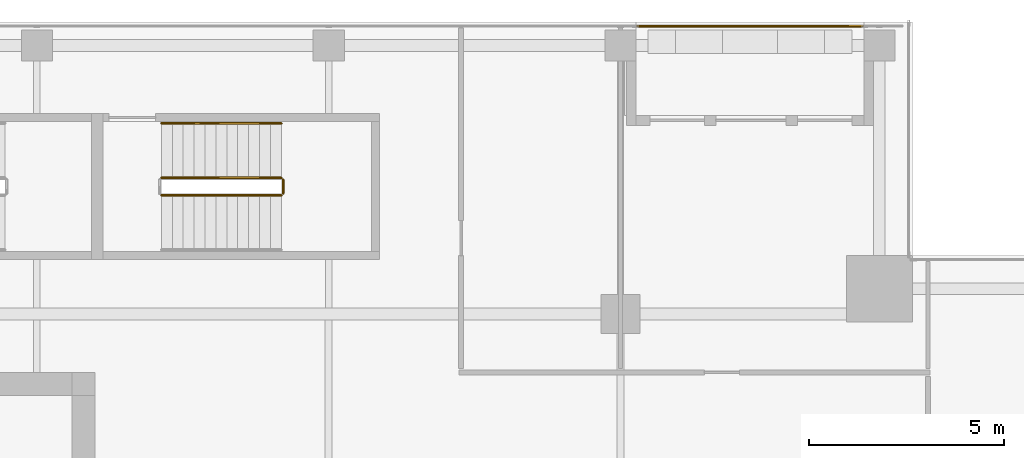
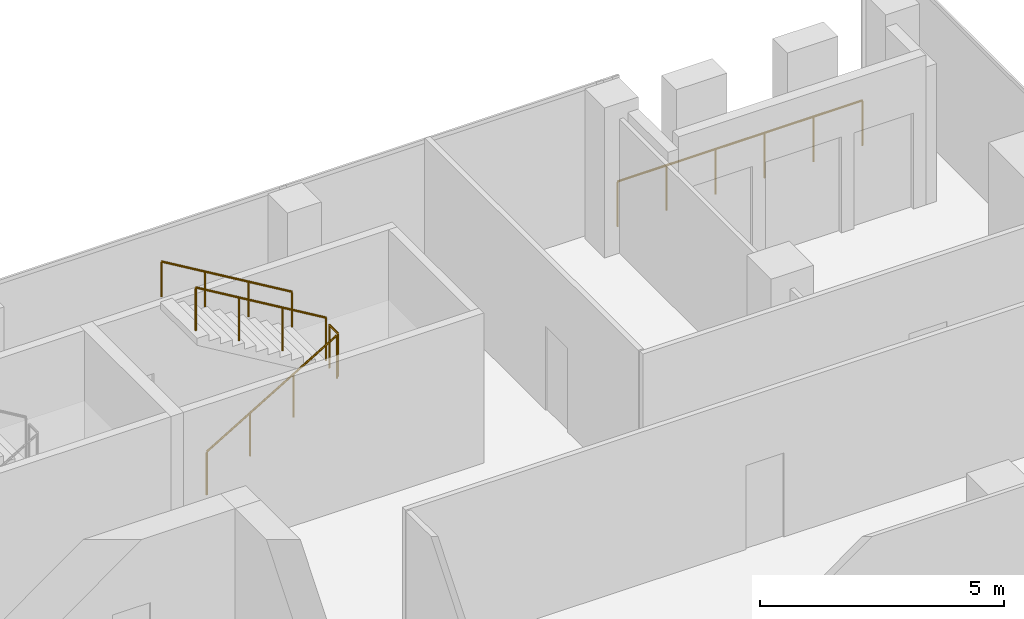
# One storey, part 28 of 29: 5 railings.
"""IFC4 building model written with IfcOpenShell, lengths in metres."""

from ifc_helpers import new_model, si_unit, direction, frame, origin, origin_2d, place, context, subcontext, project, spatial, circle, extrude, source, transform, mapped, material, type_object, element, save


model = new_model("IFC4")

# Units and contexts
model_context = context("Model", 3, precision=1e-05, world=origin(), true_north=direction((0.0, 1.0)))
body_context = subcontext(model_context, "Body", "Model", "MODEL_VIEW")
ifc_project = project(units=[si_unit("LENGTHUNIT", "METRE"), si_unit("AREAUNIT", "SQUARE_METRE"), si_unit("VOLUMEUNIT", "CUBIC_METRE"), si_unit("PLANEANGLEUNIT", "RADIAN"), si_unit("MASSUNIT", "GRAM", prefix="KILO")], contexts=[model_context])

# Site, building, storey
site_placement = place(None, origin())
site = spatial("IfcSite", under=ifc_project, at=site_placement, CompositionType="ELEMENT")
building_placement = place(site_placement, origin())
building = spatial("IfcBuilding", under=site, at=building_placement, Name="Khomas Fold Tower", CompositionType="ELEMENT")
storey_placement = place(building_placement, frame((0.0, 0.0, 290.199951171875)))
storey = spatial("IfcBuildingStorey", under=building, at=storey_placement, Name="L65", CompositionType="ELEMENT", Elevation=290.199951171875)

# Railings
ifc_material_1 = material(Name="Powder-coated steel", Category="steel")
railing_type_1 = type_object("IfcRailingType", Name="Balcony guard", PredefinedType="GUARDRAIL", material=ifc_material_1)
shared_shape_1 = source(origin(), body_context, "Body", "SweptSolid", [
    extrude(circle(Radius=0.02490234375, at=origin_2d()), frame((0.0, 0.0, 1.125), z_axis=(1.0, 0.0, 0.0), x_axis=(0.0, 1.0, 0.0)), (0.0, 0.0, 1.0), 5.7900390625),
    extrude(circle(Radius=0.02001953125, at=origin_2d()), origin(), (0.0, 0.0, 1.0), 1.099853515625),
    extrude(circle(Radius=0.02001953125, at=origin_2d()), frame((1.157958984375, 0.0, 0.0)), (0.0, 0.0, 1.0), 1.099853515625),
    extrude(circle(Radius=0.02001953125, at=origin_2d()), frame((2.31591796875, 0.0, 0.0)), (0.0, 0.0, 1.0), 1.099853515625),
    extrude(circle(Radius=0.02001953125, at=origin_2d()), frame((3.47412109375, 0.0, 0.0)), (0.0, 0.0, 1.0), 1.099853515625),
    extrude(circle(Radius=0.02001953125, at=origin_2d()), frame((4.632080078125, 0.0, 0.0)), (0.0, 0.0, 1.0), 1.099853515625),
    extrude(circle(Radius=0.02001953125, at=origin_2d()), frame((5.7900390625, 0.0, 0.0)), (0.0, 0.0, 1.0), 1.099853515625),
])
railing_1_placement = place(storey_placement, frame((34.929931640625, 47.89990234375, -0.044921875)))
element("IfcRailing", 1, at=railing_1_placement, inside=storey, type_object=railing_type_1, Name="Balcony guard BAL-L65-N4", PredefinedType="GUARDRAIL", context=body_context, shape_type="MappedRepresentation", body=[
    mapped(shared_shape_1, transform((0.0, 0.0, 0.0))),
])
ifc_material_2 = material(Name="Steel balustrade", Category="steel")
railing_type_2 = type_object("IfcRailingType", Name="Stair guard", PredefinedType="GUARDRAIL", material=ifc_material_2)
shared_shape_2 = source(origin(), body_context, "Body", "SweptSolid", [
    extrude(circle(Radius=0.02392578125, at=origin_2d()), frame((0.0, 0.0, 1.076171875), z_axis=(0.0, 1.0, 0.0), x_axis=(-1.0, 0.0, 0.0)), (0.0, 0.0, 1.0), 0.349853515625),
    extrude(circle(Radius=0.02099609375, at=origin_2d()), origin(), (0.0, 0.0, 1.0), 1.052001953125),
    extrude(circle(Radius=0.02099609375, at=origin_2d()), frame((0.0, 0.349853515625, 0.0)), (0.0, 0.0, 1.0), 1.052001953125),
])
railing_2_placement = place(storey_placement, frame((25.830078125, 43.60009765625, 2.0)))
element("IfcRailing", 2, at=railing_2_placement, inside=storey, type_object=railing_type_2, Name="L65 ST3 stair guard 2", PredefinedType="GUARDRAIL", context=body_context, shape_type="MappedRepresentation", body=[
    mapped(shared_shape_2, transform((0.0, 0.0, 0.0))),
])
shared_shape_3 = source(origin(), body_context, "Body", "SweptSolid", [
    extrude(circle(Radius=0.02392578125, at=origin_2d()), frame((0.0, 0.0, 1.076171875), z_axis=(0.859308565015, 0.0, 0.511457515432), x_axis=(0.0, 1.0, 0.0)), (0.0, 0.0, 1.0), 3.58447265625),
    extrude(circle(Radius=0.02099609375, at=origin_2d()), origin(), (0.0, 0.0, 1.0), 1.052001953125),
    extrude(circle(Radius=0.02099609375, at=origin_2d()), frame((1.026611328125, 0.0, 0.611083984375)), (0.0, 0.0, 1.0), 1.052001953125),
    extrude(circle(Radius=0.02099609375, at=origin_2d()), frame((2.053466796875, 0.0, 1.22216796875)), (0.0, 0.0, 1.0), 1.052001953125),
    extrude(circle(Radius=0.02099609375, at=origin_2d()), frame((3.080078125, 0.0, 1.833251953125)), (0.0, 0.0, 1.0), 1.052001953125),
])
railing_3_placement = place(storey_placement, frame((22.699951171875, 43.550048828125, 0.166748046875)))
element("IfcRailing", 3, at=railing_3_placement, inside=storey, type_object=railing_type_2, Name="L65 ST3 stair guard 1", PredefinedType="GUARDRAIL", context=body_context, shape_type="MappedRepresentation", body=[
    mapped(shared_shape_3, transform((0.0, 0.0, 0.0))),
])
shared_shape_4 = source(origin(), body_context, "Body", "SweptSolid", [
    extrude(circle(Radius=0.02392578125, at=origin_2d()), frame((0.0, 0.0, 1.076171875), z_axis=(-0.859308565015, 0.0, 0.511457515432), x_axis=(0.0, -1.0, 0.0)), (0.0, 0.0, 1.0), 3.58447265625),
    extrude(circle(Radius=0.02099609375, at=origin_2d()), origin(), (0.0, 0.0, 1.0), 1.052001953125),
    extrude(circle(Radius=0.02099609375, at=origin_2d()), frame((-1.026611328125, 0.0, 0.611083984375)), (0.0, 0.0, 1.0), 1.052001953125),
    extrude(circle(Radius=0.02099609375, at=origin_2d()), frame((-2.053466796875, 0.0, 1.22216796875)), (0.0, 0.0, 1.0), 1.052001953125),
    extrude(circle(Radius=0.02099609375, at=origin_2d()), frame((-3.080078125, 0.0, 1.833251953125)), (0.0, 0.0, 1.0), 1.052001953125),
])
railing_4_placement = place(storey_placement, frame((25.780029296875, 44.0, 2.166748046875)))
element("IfcRailing", 4, at=railing_4_placement, inside=storey, type_object=railing_type_2, Name="L65 ST3 stair guard 3", PredefinedType="GUARDRAIL", context=body_context, shape_type="MappedRepresentation", body=[
    mapped(shared_shape_4, transform((0.0, 0.0, 0.0))),
])
ifc_material_3 = material(Name="Steel handrail", Category="steel")
railing_type_3 = type_object("IfcRailingType", Name="Stair handrail", PredefinedType="HANDRAIL", material=ifc_material_3)
shared_shape_5 = source(origin(), body_context, "Body", "SweptSolid", [
    extrude(circle(Radius=0.02392578125, at=origin_2d()), frame((0.0, 0.0, 0.8759765625), z_axis=(-0.859308565015, 0.0, 0.511457515432), x_axis=(0.0, -1.0, 0.0)), (0.0, 0.0, 1.0), 3.58447265625),
    extrude(circle(Radius=0.02099609375, at=origin_2d()), origin(), (0.0, 0.0, 1.0), 0.851806640625),
    extrude(circle(Radius=0.02099609375, at=origin_2d()), frame((-1.026611328125, 0.0, 0.611083984375)), (0.0, 0.0, 1.0), 0.851806640625),
    extrude(circle(Radius=0.02099609375, at=origin_2d()), frame((-2.053466796875, 0.0, 1.22216796875)), (0.0, 0.0, 1.0), 0.851806640625),
    extrude(circle(Radius=0.02099609375, at=origin_2d()), frame((-3.080078125, 0.0, 1.833251953125)), (0.0, 0.0, 1.0), 0.851806640625),
])
railing_5_placement = place(storey_placement, frame((25.780029296875, 45.39990234375, 2.166748046875)))
element("IfcRailing", 5, at=railing_5_placement, inside=storey, type_object=railing_type_3, Name="L65 ST3 stair handrail 2", PredefinedType="HANDRAIL", context=body_context, shape_type="MappedRepresentation", body=[
    mapped(shared_shape_5, transform((0.0, 0.0, 0.0))),
])

save(model, "model.ifc")
